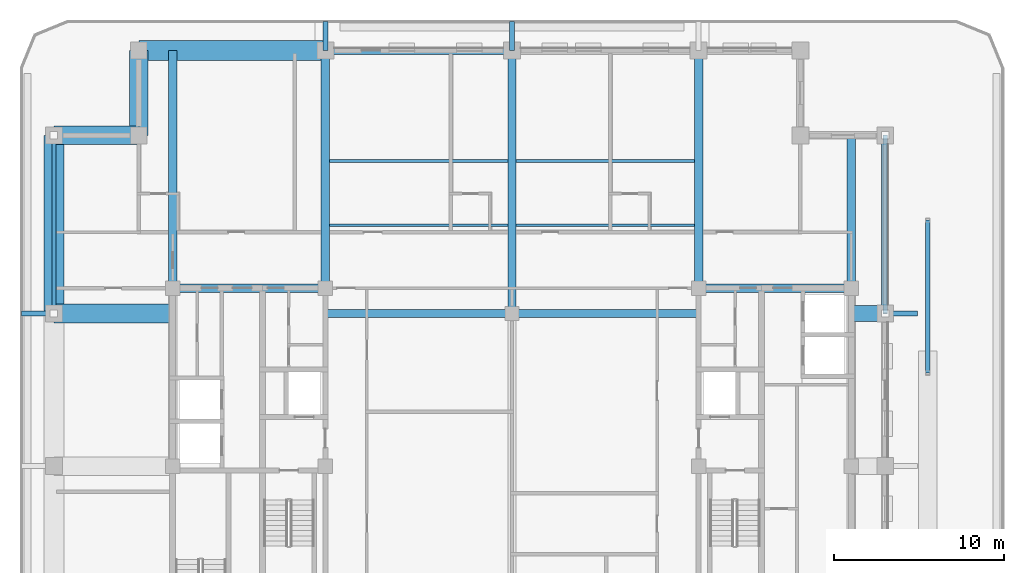
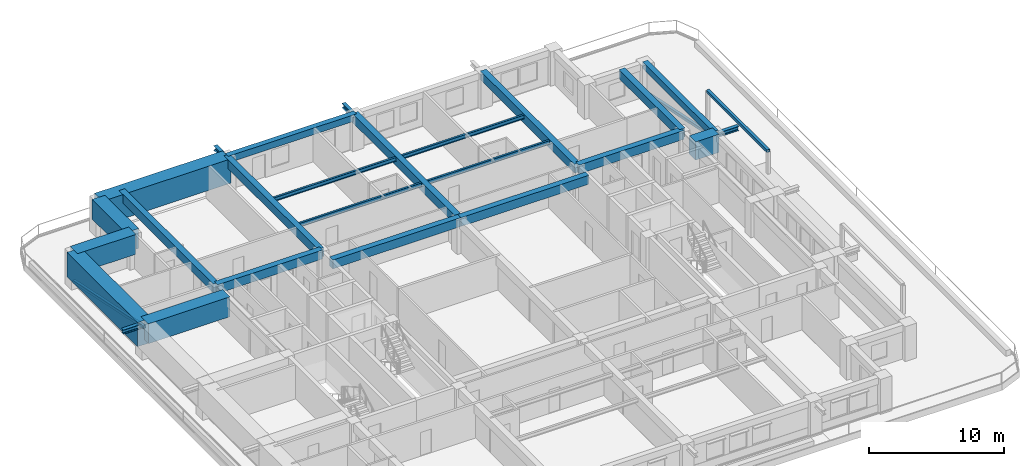
# One storey, part 3 of 18: 25 beams, 3 members.
"""IFC4 building model written with IfcOpenShell, lengths in metres."""

from ifc_helpers import new_model, si_unit, direction, frame, origin, origin_2d, place, context, subcontext, project, spatial, rectangle, hollow_rectangle, i_section, extrude, material, material_profile, profile_set, type_object, element, save


model = new_model("IFC4")

# Units and contexts
model_context = context("Model", 3, precision=1e-05, world=origin(), true_north=direction((0.0, 1.0)))
body_context = subcontext(model_context, "Body", "Model", "MODEL_VIEW")
ifc_project = project(units=[si_unit("LENGTHUNIT", "METRE"), si_unit("AREAUNIT", "SQUARE_METRE"), si_unit("VOLUMEUNIT", "CUBIC_METRE"), si_unit("PLANEANGLEUNIT", "RADIAN"), si_unit("MASSUNIT", "GRAM", prefix="KILO")], contexts=[model_context])

# Site, building, storey
site_placement = place(None, origin())
site = spatial("IfcSite", under=ifc_project, at=site_placement, CompositionType="ELEMENT")
building_placement = place(site_placement, origin())
building = spatial("IfcBuilding", under=site, at=building_placement, Name="Zulmaris Gate Convention Tower", CompositionType="ELEMENT")
storey_placement = place(building_placement, frame((0.0, 0.0, 191.4599609375)))
storey = spatial("IfcBuildingStorey", under=building, at=storey_placement, Name="L49", CompositionType="ELEMENT", Elevation=191.4599609375)

# Beams
ifc_material_1 = material(Name="Steel S355", Category="steel")
ifc_material_profile_1 = material_profile(ifc_material_1, i_section(OverallWidth=0.300048828125, OverallDepth=0.39990234375, WebThickness=0.013427734375, FlangeThickness=0.02392578125, FilletRadius=0.027099609375, at=origin_2d()), Name="HEB 400")
ifc_profile_set_1 = profile_set([ifc_material_profile_1], Name="Steel S355")
beam_type_1 = type_object("IfcBeamType", Name="BM-HEB400", PredefinedType="BEAM", material=ifc_profile_set_1)
for number, where, z_axis, x_axis, name in (
    (1, (-11.0, 24.5, 2.77294921875), (0.0, 1.0, 0.0), (-1.0, 0.0, 0.0), "L49 Beam TBRK-L49-N--11"),
    (2, (0.0, 24.5, 2.77294921875), (0.0, 1.0, 0.0), (-1.0, 0.0, 0.0), "L49 Beam TBRK-L49-N-+0"),
):
    element("IfcBeam", number, at=place(storey_placement, frame(where, z_axis=z_axis, x_axis=x_axis)), inside=storey, type_object=beam_type_1, Name=name, PredefinedType="BEAM", context=body_context, shape_type="SweptSolid", body=[
        extrude(i_section(OverallWidth=0.300048828125, OverallDepth=0.39990234375, WebThickness=0.013427734375, FlangeThickness=0.02392578125, FilletRadius=0.027099609375, at=origin_2d()), origin(), (0.0, 0.0, 1.0), 1.699951171875),
    ])
for number, where, z_axis, x_axis, name in (
    (3, (-28.89990234375, 9.0, 2.784912109375), (1.0, 0.0, 0.0), (0.0, 1.0, 0.0), "L49 Beam TBRK-L49-W-+9"),
    (4, (22.0, 9.0, 2.784912109375), (1.0, 0.0, 0.0), (0.0, 1.0, 0.0), "L49 Beam TBRK-L49-E-+9"),
):
    element("IfcBeam", number, at=place(storey_placement, frame(where, z_axis=z_axis, x_axis=x_axis)), inside=storey, type_object=beam_type_1, Name=name, PredefinedType="BEAM", context=body_context, shape_type="SweptSolid", body=[
        extrude(i_section(OverallWidth=0.300048828125, OverallDepth=0.39990234375, WebThickness=0.013427734375, FlangeThickness=0.02392578125, FilletRadius=0.027099609375, at=origin_2d()), origin(), (0.0, 0.0, 1.0), 1.89990234375),
    ])
ifc_material_2 = material(Name="Concrete C50/60", Category="concrete")
ifc_material_profile_2 = material_profile(ifc_material_2, rectangle(XDim=0.5, YDim=0.800048828125, at=origin_2d()), Name="RC BEAM 500x800")
ifc_profile_set_2 = profile_set([ifc_material_profile_2], Name="Concrete C50/60")
beam_type_2 = type_object("IfcBeamType", Name="BM-RC500x800", PredefinedType="BEAM", material=ifc_profile_set_2)
for number, where, z_axis, x_axis, name in (
    (5, (-11.0, 9.0, 2.724853515625), (1.0, 0.0, 0.0), (0.0, 1.0, 0.0), "L49 Beam BM-L49-G03"),
    (6, (0.0, 9.0, 2.724853515625), (1.0, 0.0, 0.0), (0.0, 1.0, 0.0), "L49 Beam BM-L49-G04"),
):
    element("IfcBeam", number, at=place(storey_placement, frame(where, z_axis=z_axis, x_axis=x_axis)), inside=storey, type_object=beam_type_2, Name=name, PredefinedType="BEAM", context=body_context, shape_type="SweptSolid", body=[
        extrude(rectangle(XDim=0.5, YDim=0.800048828125, at=origin_2d()), origin(), (0.0, 0.0, 1.0), 11.0),
    ])
beam_1_placement = place(storey_placement, frame((0.0, 9.0, 2.724853515625), z_axis=(0.0, 1.0, 0.0), x_axis=(-1.0, 0.0, 0.0)))
element("IfcBeam", 7, at=beam_1_placement, inside=storey, type_object=beam_type_2, Name="L49 Beam BM-L49-G07", PredefinedType="BEAM", context=body_context, shape_type="SweptSolid", body=[
    extrude(rectangle(XDim=0.5, YDim=0.800048828125, at=origin_2d()), origin(), (0.0, 0.0, 1.0), 15.5),
])
for number, where, z_axis, x_axis, name in (
    (8, (-11.0, 10.5, 2.724853515625), (0.0, 1.0, 0.0), (-1.0, 0.0, 0.0), "L49 Beam BM-L49-G09"),
    (9, (11.0, 10.5, 2.724853515625), (0.0, 1.0, 0.0), (-1.0, 0.0, 0.0), "L49 Beam BM-L49-G11"),
    (10, (-20.0, 10.5, 2.724853515625), (0.0, 1.0, 0.0), (-1.0, 0.0, 0.0), "L49 Beam BM-L49-G13"),
):
    element("IfcBeam", number, at=place(storey_placement, frame(where, z_axis=z_axis, x_axis=x_axis)), inside=storey, type_object=beam_type_2, Name=name, PredefinedType="BEAM", context=body_context, shape_type="SweptSolid", body=[
        extrude(rectangle(XDim=0.5, YDim=0.800048828125, at=origin_2d()), origin(), (0.0, 0.0, 1.0), 14.0),
    ])
for number, where, z_axis, x_axis, name in (
    (11, (20.0, 10.5, 2.724853515625), (0.0, 1.0, 0.0), (-1.0, 0.0, 0.0), "L49 Beam BM-L49-G15"),
    (12, (-20.0, 10.5, 2.724853515625), (1.0, 0.0, 0.0), (0.0, 1.0, 0.0), "L49 Beam BM-L49-G23"),
    (13, (11.0, 10.5, 2.724853515625), (1.0, 0.0, 0.0), (0.0, 1.0, 0.0), "L49 Beam BM-L49-G25"),
):
    element("IfcBeam", number, at=place(storey_placement, frame(where, z_axis=z_axis, x_axis=x_axis)), inside=storey, type_object=beam_type_2, Name=name, PredefinedType="BEAM", context=body_context, shape_type="SweptSolid", body=[
        extrude(rectangle(XDim=0.5, YDim=0.800048828125, at=origin_2d()), origin(), (0.0, 0.0, 1.0), 9.0),
    ])
ifc_material_3 = material(Name="Precast concrete C50/60", Category="concrete")
ifc_material_profile_3 = material_profile(ifc_material_3, rectangle(XDim=0.449951171875, YDim=0.60009765625, at=origin_2d()), Name="RC SPANDREL 450x600")
ifc_profile_set_3 = profile_set([ifc_material_profile_3], Name="Precast concrete C50/60")
beam_type_3 = type_object("IfcBeamType", Name="BM-SP450x600", PredefinedType="SPANDREL", material=ifc_profile_set_3)
beam_2_placement = place(storey_placement, frame((22.0, 9.0, 2.824951171875), z_axis=(0.0, 1.0, 0.0), x_axis=(-1.0, 0.0, 0.0)))
element("IfcBeam", 14, at=beam_2_placement, inside=storey, type_object=beam_type_3, Name="L49 Spandrel SP-L49-10", PredefinedType="SPANDREL", context=body_context, shape_type="SweptSolid", body=[
    extrude(rectangle(XDim=0.449951171875, YDim=0.60009765625, at=origin_2d()), origin(), (0.0, 0.0, 1.0), 10.5),
])
beam_3_placement = place(storey_placement, frame((0.0, 24.5, 2.824951171875), z_axis=(-1.0, 0.0, 0.0), x_axis=(0.0, -1.0, 0.0)))
element("IfcBeam", 15, at=beam_3_placement, inside=storey, type_object=beam_type_3, Name="L49 Spandrel SP-L49-15", PredefinedType="SPANDREL", context=body_context, shape_type="SweptSolid", body=[
    extrude(rectangle(XDim=0.449951171875, YDim=0.60009765625, at=origin_2d()), origin(), (0.0, 0.0, 1.0), 11.0),
])
ifc_material_4 = material(Name="Concrete C80/95", Category="concrete")
ifc_material_profile_4 = material_profile(ifc_material_4, rectangle(XDim=0.949951171875, YDim=1.64990234375, at=origin_2d()), Name="RC TRANSFER 950x1650")
ifc_profile_set_4 = profile_set([ifc_material_profile_4], Name="Concrete C80/95")
beam_type_4 = type_object("IfcBeamType", Name="BM-XFER1650", PredefinedType="BEAM", material=ifc_profile_set_4)
beam_4_placement = place(storey_placement, frame((20.0, 9.0, 2.300048828125), z_axis=(1.0, 0.0, 0.0), x_axis=(0.0, 1.0, 0.0)))
element("IfcBeam", 16, at=beam_4_placement, inside=storey, type_object=beam_type_4, Name="L49 Beam BM-L49-G21", PredefinedType="BEAM", context=body_context, shape_type="SweptSolid", body=[
    extrude(rectangle(XDim=0.949951171875, YDim=1.64990234375, at=origin_2d()), origin(), (0.0, 0.0, 1.0), 2.0),
])
ifc_material_profile_5 = material_profile(ifc_material_4, rectangle(XDim=1.10009765625, YDim=1.800048828125, at=origin_2d()), Name="RC TRANSFER 1100x1800")
ifc_profile_set_5 = profile_set([ifc_material_profile_5], Name="Concrete C80/95")
beam_type_5 = type_object("IfcBeamType", Name="BM-XFER1800", PredefinedType="BEAM", material=ifc_profile_set_5)
for number, where, z_axis, x_axis, name in (
    (17, (-22.0, 24.5, 2.224853515625), (0.0, -1.0, 0.0), (1.0, 0.0, 0.0), "L49 Beam SP-L49-17"),
    (18, (-22.0, 19.5, 2.224853515625), (-1.0, 0.0, 0.0), (0.0, -1.0, 0.0), "L49 Beam SP-L49-18"),
):
    element("IfcBeam", number, at=place(storey_placement, frame(where, z_axis=z_axis, x_axis=x_axis)), inside=storey, type_object=beam_type_5, Name=name, PredefinedType="BEAM", context=body_context, shape_type="SweptSolid", body=[
        extrude(rectangle(XDim=1.10009765625, YDim=1.800048828125, at=origin_2d()), origin(), (0.0, 0.0, 1.0), 5.0),
    ])
beam_5_placement = place(storey_placement, frame((-27.0, 9.0, 2.224853515625), z_axis=(1.0, 0.0, 0.0), x_axis=(0.0, 1.0, 0.0)))
element("IfcBeam", 19, at=beam_5_placement, inside=storey, type_object=beam_type_5, Name="L49 Beam BM-L49-G18", PredefinedType="BEAM", context=body_context, shape_type="SweptSolid", body=[
    extrude(rectangle(XDim=1.10009765625, YDim=1.800048828125, at=origin_2d()), origin(), (0.0, 0.0, 1.0), 7.0),
])
ifc_material_profile_6 = material_profile(ifc_material_4, rectangle(XDim=1.199951171875, YDim=2.199951171875, at=origin_2d()), Name="RC TRANSFER 1200x2200")
ifc_profile_set_6 = profile_set([ifc_material_profile_6], Name="Concrete C80/95")
beam_type_6 = type_object("IfcBeamType", Name="BM-XFER2200", PredefinedType="BEAM", material=ifc_profile_set_6)
beam_6_placement = place(storey_placement, frame((-11.0, 24.5, 2.02490234375), z_axis=(-1.0, 0.0, 0.0), x_axis=(0.0, -1.0, 0.0)))
element("IfcBeam", 20, at=beam_6_placement, inside=storey, type_object=beam_type_6, Name="L49 Beam SP-L49-16", PredefinedType="BEAM", context=body_context, shape_type="SweptSolid", body=[
    extrude(rectangle(XDim=1.199951171875, YDim=2.199951171875, at=origin_2d()), origin(), (0.0, 0.0, 1.0), 11.0),
])
beam_7_placement = place(storey_placement, frame((-27.0, 19.5, 2.02490234375), z_axis=(0.0, -1.0, 0.0), x_axis=(1.0, 0.0, 0.0)))
element("IfcBeam", 21, at=beam_7_placement, inside=storey, type_object=beam_type_6, Name="L49 Beam SP-L49-19", PredefinedType="BEAM", context=body_context, shape_type="SweptSolid", body=[
    extrude(rectangle(XDim=1.199951171875, YDim=2.199951171875, at=origin_2d()), origin(), (0.0, 0.0, 1.0), 10.5),
])

# Members
ifc_material_profile_7 = material_profile(ifc_material_1, hollow_rectangle(XDim=0.25, YDim=0.25, WallThickness=0.012451171875, at=origin_2d()), Name="SHS 250x250x12.5")
ifc_profile_set_7 = profile_set([ifc_material_profile_7], Name="Steel S355")
member_type_1 = type_object("IfcMemberType", Name="BR-SHS250", PredefinedType="BRACE", material=ifc_profile_set_7)
for number, where, z_axis, x_axis, name in (
    (22, (-27.0, 19.5, 0.300048828125), (0.0, -0.978656608688, 0.205502414273), (1.0, 0.0, 0.0), "L49 Perimeter Tube Diagonal NW-W"),
    (23, (22.0, 19.5, 0.300048828125), (0.0, -0.978656608688, 0.205502414273), (1.0, 0.0, 0.0), "L49 Perimeter Tube Diagonal NE-E"),
):
    element("IfcMember", number, at=place(storey_placement, frame(where, z_axis=z_axis, x_axis=x_axis)), inside=storey, type_object=member_type_1, Name=name, PredefinedType="BRACE", context=body_context, shape_type="SweptSolid", body=[
        extrude(hollow_rectangle(XDim=0.25, YDim=0.25, WallThickness=0.012451171875, at=origin_2d()), origin(), (0.0, 0.0, 1.0), 10.72900390625),
    ])

# Beams
ifc_material_profile_8 = material_profile(ifc_material_1, i_section(OverallWidth=0.169921875, OverallDepth=0.360107421875, WebThickness=0.008056640625, FlangeThickness=0.0126953125, FilletRadius=0.01806640625, at=origin_2d()), Name="IPE 360")
ifc_profile_set_8 = profile_set([ifc_material_profile_8], Name="Steel S355")
beam_type_7 = type_object("IfcBeamType", Name="JT-IPE360", PredefinedType="JOIST", material=ifc_profile_set_8)
for number, where, z_axis, x_axis, name in (
    (24, (-10.75, 14.199951171875, 2.94287109375), (1.0, 0.0, 0.0), (0.0, 1.0, 0.0), "L49 Joist JT-L49-CW-+14.2"),
    (25, (0.25, 14.199951171875, 2.94287109375), (1.0, 0.0, 0.0), (0.0, 1.0, 0.0), "L49 Joist JT-L49-CE-+14.2"),
    (26, (-10.75, 18.0, 2.94287109375), (1.0, 0.0, 0.0), (0.0, 1.0, 0.0), "L49 Joist JT-L49-CW-+18.0"),
    (27, (0.25, 18.0, 2.94287109375), (1.0, 0.0, 0.0), (0.0, 1.0, 0.0), "L49 Joist JT-L49-CE-+18.0"),
):
    element("IfcBeam", number, at=place(storey_placement, frame(where, z_axis=z_axis, x_axis=x_axis)), inside=storey, type_object=beam_type_7, Name=name, PredefinedType="JOIST", context=body_context, shape_type="SweptSolid", body=[
        extrude(i_section(OverallWidth=0.169921875, OverallDepth=0.360107421875, WebThickness=0.008056640625, FlangeThickness=0.0126953125, FilletRadius=0.01806640625, at=origin_2d()), origin(), (0.0, 0.0, 1.0), 10.5),
    ])

# Member
ifc_material_profile_9 = material_profile(ifc_material_1, hollow_rectangle(XDim=0.25, YDim=0.25, WallThickness=0.012451171875, at=origin_2d()), Name="SHS 250x250x12.5")
ifc_profile_set_9 = profile_set([ifc_material_profile_9], Name="Steel S355")
member_type_2 = type_object("IfcMemberType", Name="ST-SHS250", PredefinedType="STRUT", material=ifc_profile_set_9)
member_placement = place(storey_placement, frame((24.5, 5.5, 2.56005859375), z_axis=(0.0, 1.0, 0.0), x_axis=(-1.0, 0.0, 0.0)))
element("IfcMember", 28, at=member_placement, inside=storey, type_object=member_type_2, Name="L49 Exposed Terrace Planted Pergola Beam 2", PredefinedType="STRUT", context=body_context, shape_type="SweptSolid", body=[
    extrude(hollow_rectangle(XDim=0.25, YDim=0.25, WallThickness=0.012451171875, at=origin_2d()), origin(), (0.0, 0.0, 1.0), 9.0),
])

save(model, "model.ifc")
